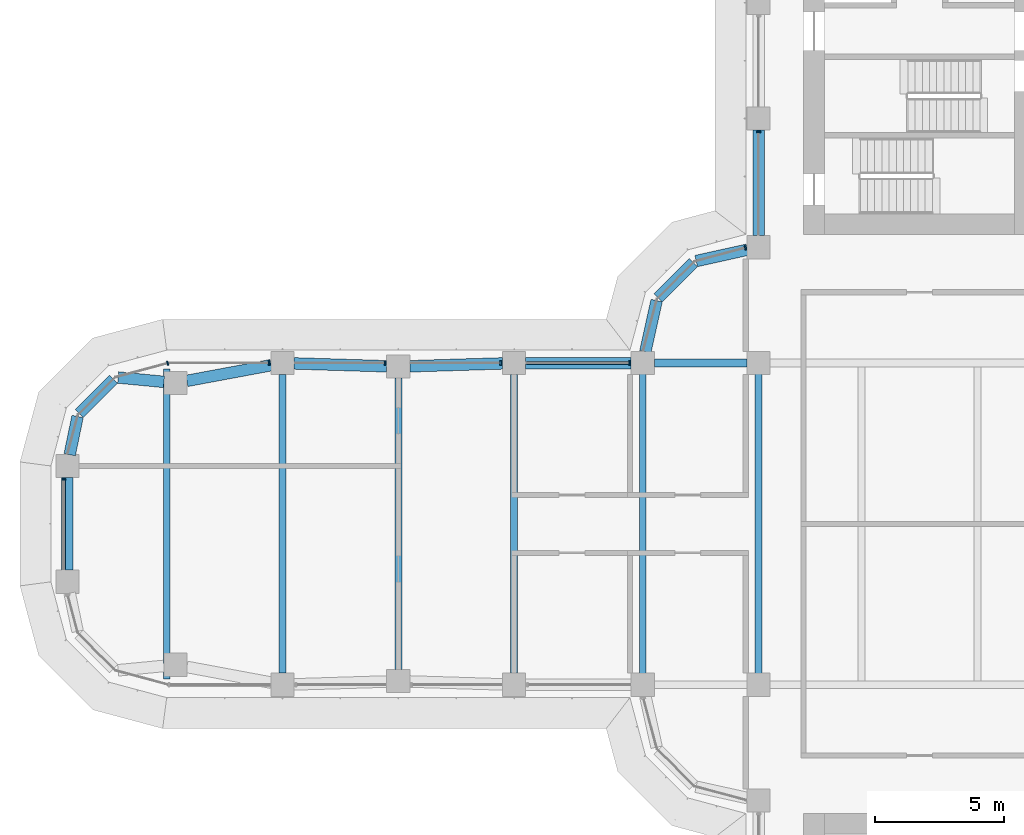
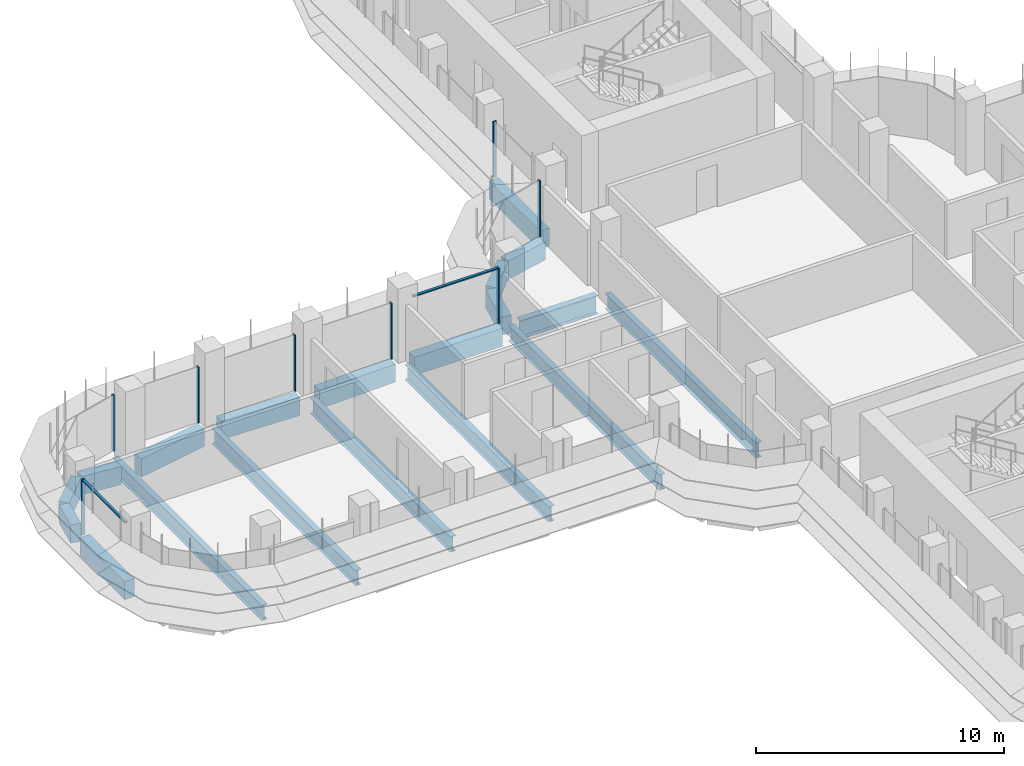
# One storey, part 6 of 21: 19 beams, 10 members, 5 elements without a shape of their own.
"""IFC4 building model written with IfcOpenShell, lengths in metres."""

import ifcopenshell
import ifcopenshell.guid

model = None  # the IFC model being written
_history = None  # IfcOwnerHistory: only IFC2X3 demands one
_inside = {}  # id of a spatial element -> (the spatial element, [elements in it])
_under = {}  # id of a project, library or spatial element -> (it, [spatial elements below it])
_declared = {}  # id of a project -> (the project, [libraries it declares])
_typed = {}  # id of a type object -> (the type object, [elements of that type])
_made_of = {}  # id of a material, layer set ... -> (it, [elements and type objects made of it])


def new_model(schema):
    """Start an empty IFC model of exactly this schema.

    Asked for "IFC4X3", IfcOpenShell would pick the latest addendum, in which some entities
    have other attributes; the version numbers below select the first issue.
    IFC2X3 requires an IfcOwnerHistory on every rooted entity: one is made here for all.
    """
    global model, _history
    if schema == "IFC4X3":
        model = ifcopenshell.file(schema_version=(4, 3, 0, 0))
    else:
        model = ifcopenshell.file(schema=schema)
    _inside.clear()
    _under.clear()
    _declared.clear()
    _typed.clear()
    _made_of.clear()
    _history = None
    if model.schema == "IFC2X3":
        org = make("IfcOrganization", Name="unknown")
        user = make(
            "IfcPersonAndOrganization",
            ThePerson=make("IfcPerson", FamilyName="unknown"),
            TheOrganization=org,
        )
        app = make(
            "IfcApplication",
            ApplicationDeveloper=org,
            Version="unknown",
            ApplicationFullName="unknown",
            ApplicationIdentifier="unknown",
        )
        _history = make(
            "IfcOwnerHistory",
            OwningUser=user,
            OwningApplication=app,
            ChangeAction="ADDED",
            CreationDate=0,
        )
    return model


def make(cls, **values):
    """One entity of the class cls with the attributes given. An attribute that is None is left unset."""
    return model.create_entity(
        cls, **{name: value for name, value in values.items() if value is not None}
    )


def rooted(cls, **values):
    """An entity with a GlobalId (a new one), such as an element, a storey or a relation."""
    return make(cls, GlobalId=ifcopenshell.guid.new(), OwnerHistory=_history, **values)


def si_unit(unit_type, name, prefix=None):
    """IfcSIUnit, for example si_unit("LENGTHUNIT", "METRE", prefix="MILLI")."""
    return make("IfcSIUnit", UnitType=unit_type, Prefix=prefix, Name=name)


def assignment(units):
    """IfcUnitAssignment: the units of a project."""
    return None if units is None else make("IfcUnitAssignment", Units=units)


def point(xyz):
    """IfcCartesianPoint."""
    return None if xyz is None else make("IfcCartesianPoint", Coordinates=xyz)


def direction(xyz):
    """IfcDirection."""
    return None if xyz is None else make("IfcDirection", DirectionRatios=xyz)


def frame(location, z_axis=None, x_axis=None):
    """IfcAxis2Placement3D, a coordinate frame: its origin and axes. An axis left out is left unset."""
    return make(
        "IfcAxis2Placement3D",
        Location=point(location),
        Axis=direction(z_axis),
        RefDirection=direction(x_axis),
    )


def frame_2d(location, x_axis=None):
    """IfcAxis2Placement2D, a coordinate frame in the plane: its origin and x axis."""
    return make(
        "IfcAxis2Placement2D", Location=point(location), RefDirection=direction(x_axis)
    )


def origin():
    """The frame at (0, 0, 0) with its axes left unset."""
    return frame((0.0, 0.0, 0.0))


def origin_2d():
    """The frame at (0, 0) in the plane with its x axis left unset."""
    return frame_2d((0.0, 0.0))


def place(relative_to, where):
    """IfcLocalPlacement: puts the frame where relative to a parent placement (None: the world)."""
    return make(
        "IfcLocalPlacement", PlacementRelTo=relative_to, RelativePlacement=where
    )


def context(
    kind, dimensions, precision=None, world=None, true_north=None, identifier=None
):
    """IfcGeometricRepresentationContext, for example the 3D "Model" context."""
    return make(
        "IfcGeometricRepresentationContext",
        ContextIdentifier=identifier,
        ContextType=kind,
        CoordinateSpaceDimension=dimensions,
        Precision=precision,
        WorldCoordinateSystem=world,
        TrueNorth=true_north,
    )


def subcontext(parent, identifier, kind, view, scale=None):
    """IfcGeometricRepresentationSubContext, for example "Body" below "Model"."""
    return make(
        "IfcGeometricRepresentationSubContext",
        ContextIdentifier=identifier,
        ContextType=kind,
        ParentContext=parent,
        TargetScale=scale,
        TargetView=view,
    )


def project(units=None, contexts=None):
    """IfcProject with its units and contexts."""
    return rooted(
        "IfcProject",
        Name="project",
        RepresentationContexts=contexts,
        UnitsInContext=assignment(units),
    )


def spatial(cls, under=None, at=None, **own):
    """A site, building, storey or space (cls), placed at a placement, below another one or the project."""
    s = rooted(cls, ObjectPlacement=at, **own)
    if under is not None:
        _under.setdefault(under.id(), (under, []))[1].append(s)
    return s


def polyline(points):
    """IfcPolyline through the points."""
    return make("IfcPolyline", Points=[point(p) for p in points])


def profile(cls, at=None, kind="AREA", **sizes):
    """A parametric profile (cls). Its sizes go by their IFC names, for example OverallWidth=200.0."""
    return make(cls, ProfileType=kind, Position=at, **sizes)


def rectangle(**sizes):
    """IfcRectangleProfileDef."""
    return profile("IfcRectangleProfileDef", **sizes)


def i_section(**sizes):
    """IfcIShapeProfileDef."""
    return profile("IfcIShapeProfileDef", **sizes)


def outline(outer, holes=None, kind="AREA"):
    """IfcArbitraryClosedProfileDef: a profile drawn as a closed curve; with holes, ...WithVoids."""
    if holes is None:
        return make("IfcArbitraryClosedProfileDef", ProfileType=kind, OuterCurve=outer)
    return make(
        "IfcArbitraryProfileDefWithVoids",
        ProfileType=kind,
        OuterCurve=outer,
        InnerCurves=holes,
    )


def extrude(swept, where, along, depth):
    """IfcExtrudedAreaSolid: the profile swept, set in the frame where, extruded along a direction by depth."""
    return make(
        "IfcExtrudedAreaSolid",
        SweptArea=swept,
        Position=where,
        ExtrudedDirection=direction(along),
        Depth=depth,
    )


def shape(context_of_items, identifier, shape_type, items):
    """IfcShapeRepresentation: the items that make up one representation, for example the "Body"."""
    return make(
        "IfcShapeRepresentation",
        ContextOfItems=context_of_items,
        RepresentationIdentifier=identifier,
        RepresentationType=shape_type,
        Items=items,
    )


def source(mapping_origin, context_of_items, identifier, shape_type, items):
    """IfcRepresentationMap: a shape defined once, which mapped items show again and again."""
    return make(
        "IfcRepresentationMap",
        MappingOrigin=mapping_origin,
        MappedRepresentation=shape(context_of_items, identifier, shape_type, items),
    )


def transform(
    local_origin,
    x_axis=None,
    y_axis=None,
    z_axis=None,
    scale=None,
    scale2=None,
    scale3=None,
    uniform=True,
):
    """IfcCartesianTransformationOperator3D, or its non-uniform kind. x_axis, y_axis, z_axis: its Axis1, 2, 3."""
    if uniform:
        return make(
            "IfcCartesianTransformationOperator3D",
            Axis1=direction(x_axis),
            Axis2=direction(y_axis),
            LocalOrigin=point(local_origin),
            Scale=scale,
            Axis3=direction(z_axis),
        )
    return make(
        "IfcCartesianTransformationOperator3DnonUniform",
        Axis1=direction(x_axis),
        Axis2=direction(y_axis),
        LocalOrigin=point(local_origin),
        Scale=scale,
        Axis3=direction(z_axis),
        Scale2=scale2,
        Scale3=scale3,
    )


def mapped(mapping_source, mapping_target):
    """IfcMappedItem: shows the shape of a source again, moved by a transform."""
    return make(
        "IfcMappedItem", MappingSource=mapping_source, MappingTarget=mapping_target
    )


def material(Name=None, Category=None):
    """IfcMaterial."""
    return make("IfcMaterial", Name=Name, Category=Category)


def material_profile(
    of_material, cross_section, Name=None, Category=None, Priority=None
):
    """IfcMaterialProfile: a cross section and its material."""
    return make(
        "IfcMaterialProfile",
        Name=Name,
        Material=of_material,
        Profile=cross_section,
        Priority=Priority,
        Category=Category,
    )


def profile_set(profiles, Name=None, composite=None):
    """IfcMaterialProfileSet."""
    return make(
        "IfcMaterialProfileSet",
        Name=Name,
        MaterialProfiles=profiles,
        CompositeProfile=composite,
    )


def made_of(thing, what):
    """Note that an element or type object is made of a material, layer set ...; save() writes the relation."""
    if what is not None:
        _made_of.setdefault(what.id(), (what, []))[1].append(thing)
    return thing


def type_object(cls, material=None, **own):
    """A type object (cls), such as IfcWallType, which elements share."""
    return made_of(rooted(cls, **own), material)


def element(
    cls,
    number,
    at=None,
    inside=None,
    cuts=None,
    type_object=None,
    material=None,
    context=None,
    identifier="Body",
    shape_type=None,
    held_by="IfcProductDefinitionShape",
    body=None,
    shapes=None,
    **own,
):
    """One element of the class cls, such as IfcWall. Its Tag is "e" and its number.

    at: its placement. inside: the storey or other place that contains it. cuts: it is an
    opening in that element (IfcRelVoidsElement). A single representation is given by context,
    identifier, shape_type and body (its items); several are given by shapes. held_by: the class
    of the entity that holds the representations. save() writes the other relations.
    """
    e = rooted(cls, Tag="e%d" % number, ObjectPlacement=at, **own)
    if body is not None:
        shapes = [shape(context, identifier, shape_type, body)]
    if shapes is not None:
        e.Representation = make(held_by, Representations=shapes)
    if inside is not None:
        _inside.setdefault(inside.id(), (inside, []))[1].append(e)
    if cuts is not None:
        rooted(
            "IfcRelVoidsElement", RelatingBuildingElement=cuts, RelatedOpeningElement=e
        )
    if type_object is not None:
        _typed.setdefault(type_object.id(), (type_object, []))[1].append(e)
    return made_of(e, material)


def aggregate(whole, parts):
    """IfcRelAggregates: a whole, such as a stair, and the parts it consists of."""
    return rooted("IfcRelAggregates", RelatingObject=whole, RelatedObjects=parts)


def save(model, path):
    """Write the relations noted so far, then the file.

    IfcRelAggregates (storeys below a building ...), IfcRelContainedInSpatialStructure (elements
    in a storey), IfcRelDefinesByType, IfcRelAssociatesMaterial and IfcRelDeclares: one each for
    every whole, place, type object, material and project.
    """
    for whole, parts in _under.values():
        aggregate(whole, parts)
    for where, things in _inside.values():
        rooted(
            "IfcRelContainedInSpatialStructure",
            RelatedElements=things,
            RelatingStructure=where,
        )
    for kind, things in _typed.values():
        rooted("IfcRelDefinesByType", RelatedObjects=things, RelatingType=kind)
    for what, things in _made_of.values():
        rooted("IfcRelAssociatesMaterial", RelatedObjects=things, RelatingMaterial=what)
    for by, libraries in _declared.values():
        rooted("IfcRelDeclares", RelatingContext=by, RelatedDefinitions=libraries)
    model.write(path)


model = new_model("IFC4")

# Units and contexts
model_context = context("Model", 3, precision=1e-05, world=origin(), true_north=direction((0.0, 1.0)))
body_context = subcontext(model_context, "Body", "Model", "MODEL_VIEW")
ifc_project = project(units=[si_unit("LENGTHUNIT", "METRE"), si_unit("AREAUNIT", "SQUARE_METRE"), si_unit("VOLUMEUNIT", "CUBIC_METRE"), si_unit("PLANEANGLEUNIT", "RADIAN"), si_unit("MASSUNIT", "GRAM", prefix="KILO")], contexts=[model_context])

# Site, building, storey
site_placement = place(None, origin())
site = spatial("IfcSite", under=ifc_project, at=site_placement, CompositionType="ELEMENT")
building_placement = place(site_placement, origin())
building = spatial("IfcBuilding", under=site, at=building_placement, Name="Zarbagh Exchange Tower", CompositionType="ELEMENT")
storey_placement = place(building_placement, frame((0.0, 0.0, 117.0)))
storey = spatial("IfcBuildingStorey", under=building, at=storey_placement, Name="L27", CompositionType="ELEMENT", Elevation=117.0)

# Beams
ifc_material_1 = material(Name="Steel ASTM A992 Gr 50", Category="steel")
ifc_material_profile_1 = material_profile(ifc_material_1, i_section(OverallWidth=0.2666015625, OverallDepth=0.7568359375, WebThickness=0.013916015625, FlangeThickness=0.019287109375, at=origin_2d()), Name="W30X108")
ifc_profile_set_1 = profile_set([ifc_material_profile_1], Name="Steel ASTM A992 Gr 50")
beam_type_1 = type_object("IfcBeamType", Name="Floor beam W30X108", PredefinedType="BEAM", material=ifc_profile_set_1)
for number, where, z_axis, x_axis, name in (
    (1, (-10.75, -6.09765625, -0.5283203125), (0.0, 1.0, 0.0), (-1.0, 0.0, 0.0), "Steel floor beam"),
    (2, (-6.25, -6.09765625, -0.5283203125), (0.0, 1.0, 0.0), (-1.0, 0.0, 0.0), "Steel floor beam"),
):
    element("IfcBeam", number, at=place(storey_placement, frame(where, z_axis=z_axis, x_axis=x_axis)), inside=storey, type_object=beam_type_1, Name=name, PredefinedType="BEAM", context=body_context, shape_type="SweptSolid", body=[
        extrude(i_section(OverallWidth=0.2666015625, OverallDepth=0.7568359375, WebThickness=0.013916015625, FlangeThickness=0.019287109375, at=origin_2d()), origin(), (0.0, 0.0, 1.0), 12.1953125),
    ])
beam_1_placement = place(storey_placement, frame((-15.75, -5.800048828125, -0.5283203125), z_axis=(0.0, 1.0, 0.0), x_axis=(-1.0, 0.0, 0.0)))
element("IfcBeam", 3, at=beam_1_placement, inside=storey, type_object=beam_type_1, Name="Steel floor beam", PredefinedType="BEAM", context=body_context, shape_type="SweptSolid", body=[
    extrude(i_section(OverallWidth=0.2666015625, OverallDepth=0.7568359375, WebThickness=0.013916015625, FlangeThickness=0.019287109375, at=origin_2d()), origin(), (0.0, 0.0, 1.0), 11.60009765625),
])
beam_2_placement = place(storey_placement, frame((-20.25, -5.659912109375, -0.5283203125), z_axis=(0.0, 1.0, 0.0), x_axis=(-1.0, 0.0, 0.0)))
element("IfcBeam", 4, at=beam_2_placement, inside=storey, type_object=beam_type_1, Name="Steel floor beam", PredefinedType="BEAM", context=body_context, shape_type="SweptSolid", body=[
    extrude(i_section(OverallWidth=0.2666015625, OverallDepth=0.7568359375, WebThickness=0.013916015625, FlangeThickness=0.019287109375, at=origin_2d()), origin(), (0.0, 0.0, 1.0), 11.31982421875),
])
beam_3_placement = place(storey_placement, frame((-24.75, -5.800048828125, -0.5283203125), z_axis=(0.0, 1.0, 0.0), x_axis=(-1.0, 0.0, 0.0)))
element("IfcBeam", 5, at=beam_3_placement, inside=storey, type_object=beam_type_1, Name="Steel floor beam", PredefinedType="BEAM", context=body_context, shape_type="SweptSolid", body=[
    extrude(i_section(OverallWidth=0.2666015625, OverallDepth=0.7568359375, WebThickness=0.013916015625, FlangeThickness=0.019287109375, at=origin_2d()), origin(), (0.0, 0.0, 1.0), 11.60009765625),
])
beam_4_placement = place(storey_placement, frame((-29.25, -6.02490234375, -0.5283203125), z_axis=(0.0, 1.0, 0.0), x_axis=(-1.0, 0.0, 0.0)))
element("IfcBeam", 6, at=beam_4_placement, inside=storey, type_object=beam_type_1, Name="Steel floor beam", PredefinedType="BEAM", context=body_context, shape_type="SweptSolid", body=[
    extrude(i_section(OverallWidth=0.2666015625, OverallDepth=0.7568359375, WebThickness=0.013916015625, FlangeThickness=0.019287109375, at=origin_2d()), origin(), (0.0, 0.0, 1.0), 12.0498046875),
])
ifc_material_profile_2 = material_profile(ifc_material_1, i_section(OverallWidth=0.3046875, OverallDepth=0.911865234375, WebThickness=0.015869140625, FlangeThickness=0.02392578125, at=origin_2d()), Name="W36X150")
ifc_profile_set_2 = profile_set([ifc_material_profile_2], Name="Steel ASTM A992 Gr 50")
beam_type_2 = type_object("IfcBeamType", Name="Floor girder W36X150", PredefinedType="BEAM", material=ifc_profile_set_2)
beam_5_placement = place(storey_placement, frame((-10.300048828125, 6.25, -0.60595703125), z_axis=(1.0, 0.0, 0.0), x_axis=(0.0, 1.0, 0.0)))
element("IfcBeam", 7, at=beam_5_placement, inside=storey, type_object=beam_type_2, Name="Steel girder", PredefinedType="BEAM", context=body_context, shape_type="SweptSolid", body=[
    extrude(i_section(OverallWidth=0.3046875, OverallDepth=0.911865234375, WebThickness=0.015869140625, FlangeThickness=0.02392578125, at=origin_2d()), origin(), (0.0, 0.0, 1.0), 3.60009765625),
])
ifc_material_2 = material(Name="Concrete C60/75", Category="concrete")
ifc_material_profile_3 = material_profile(ifc_material_2, rectangle(XDim=0.449951171875, YDim=0.89990234375, at=origin_2d()), Name="RC spandrel beam 450 x 900 C60/75")
ifc_profile_set_3 = profile_set([ifc_material_profile_3], Name="Concrete C60/75")
beam_type_3 = type_object("IfcBeamType", Name="RC spandrel beam 450 x 900 C60/75", PredefinedType="SPANDREL", material=ifc_profile_set_3)
beam_6_placement = place(storey_placement, frame((-33.110107421875, -1.800048828125, -0.60009765625), z_axis=(0.0, 1.0, 0.0), x_axis=(-1.0, 0.0, 0.0)))
element("IfcBeam", 8, at=beam_6_placement, inside=storey, type_object=beam_type_3, Name="RC spandrel beam", PredefinedType="SPANDREL", context=body_context, shape_type="SweptSolid", body=[
    extrude(rectangle(XDim=0.449951171875, YDim=0.89990234375, at=origin_2d()), origin(), (0.0, 0.0, 1.0), 3.60009765625),
])
beam_7_placement = place(storey_placement, frame((-33.01904296875, 2.690673828125, -0.60009765625), z_axis=(0.202275417995, 0.979328675816, 0.0), x_axis=(-0.979328675816, 0.202275417995, 0.0)))
element("IfcBeam", 9, at=beam_7_placement, inside=storey, type_object=beam_type_3, Name="RC spandrel beam", PredefinedType="SPANDREL", context=body_context, shape_type="SweptSolid", body=[
    extrude(rectangle(XDim=0.449951171875, YDim=0.89990234375, at=origin_2d()), origin(), (0.0, 0.0, 1.0), 1.515869140625),
])
beam_8_placement = place(storey_placement, frame((-32.651123046875, 4.288818359375, -0.60009765625), z_axis=(0.707106781187, 0.707106781187, 0.0), x_axis=(-0.707106781187, 0.707106781187, 0.0)))
element("IfcBeam", 10, at=beam_8_placement, inside=storey, type_object=beam_type_3, Name="RC spandrel beam", PredefinedType="SPANDREL", context=body_context, shape_type="SweptSolid", body=[
    extrude(rectangle(XDim=0.449951171875, YDim=0.89990234375, at=origin_2d()), origin(), (0.0, 0.0, 1.0), 1.887939453125),
])
beam_9_placement = place(storey_placement, frame((-31.135498046875, 5.688720703125, -0.60009765625), z_axis=(0.995433267802, -0.095459988228, 0.0), x_axis=(0.095459988228, 0.995433267802, 0.0)))
element("IfcBeam", 11, at=beam_9_placement, inside=storey, type_object=beam_type_3, Name="RC spandrel beam", PredefinedType="SPANDREL", context=body_context, shape_type="SweptSolid", body=[
    extrude(rectangle(XDim=0.449951171875, YDim=0.89990234375, at=origin_2d()), origin(), (0.0, 0.0, 1.0), 1.78759765625),
])
beam_10_placement = place(storey_placement, frame((-28.465576171875, 5.5576171875, -0.60009765625), z_axis=(0.98308156541, 0.183168326277, 0.0), x_axis=(-0.183168326277, 0.98308156541, 0.0)))
element("IfcBeam", 12, at=beam_10_placement, inside=storey, type_object=beam_type_3, Name="RC spandrel beam", PredefinedType="SPANDREL", context=body_context, shape_type="SweptSolid", body=[
    extrude(rectangle(XDim=0.449951171875, YDim=0.89990234375, at=origin_2d()), origin(), (0.0, 0.0, 1.0), 3.32958984375),
])
for number, where, z_axis, x_axis, name in (
    (13, (-24.30029296875, 6.236083984375, -0.60009765625), (0.999516035224, -0.031107801747, 0.0), (0.031107801747, 0.999516035224, 0.0), "RC spandrel beam"),
    (14, (-19.80029296875, 6.1240234375, -0.60009765625), (0.999516035224, 0.031107801747, 0.0), (-0.031107801747, 0.999516035224, 0.0), "RC spandrel beam"),
):
    element("IfcBeam", number, at=place(storey_placement, frame(where, z_axis=z_axis, x_axis=x_axis)), inside=storey, type_object=beam_type_3, Name=name, PredefinedType="SPANDREL", context=body_context, shape_type="SweptSolid", body=[
        extrude(rectangle(XDim=0.449951171875, YDim=0.89990234375, at=origin_2d()), origin(), (0.0, 0.0, 1.0), 3.602294921875),
    ])
beam_11_placement = place(storey_placement, frame((-15.300048828125, 6.25, -0.60009765625), z_axis=(1.0, 0.0, 0.0), x_axis=(0.0, 1.0, 0.0)))
element("IfcBeam", 15, at=beam_11_placement, inside=storey, type_object=beam_type_3, Name="RC spandrel beam", PredefinedType="SPANDREL", context=body_context, shape_type="SweptSolid", body=[
    extrude(rectangle(XDim=0.449951171875, YDim=0.89990234375, at=origin_2d()), origin(), (0.0, 0.0, 1.0), 4.10009765625),
])
beam_12_placement = place(storey_placement, frame((-10.65283203125, 6.689453125, -0.60009765625), z_axis=(0.216117666208, 0.976367325525, 0.0), x_axis=(-0.976367325525, 0.216117666208, 0.0)))
element("IfcBeam", 16, at=beam_12_placement, inside=storey, type_object=beam_type_3, Name="RC spandrel beam", PredefinedType="SPANDREL", context=body_context, shape_type="SweptSolid", body=[
    extrude(rectangle(XDim=0.449951171875, YDim=0.89990234375, at=origin_2d()), origin(), (0.0, 0.0, 1.0), 2.03564453125),
])
beam_13_placement = place(storey_placement, frame((-10.15234375, 8.78759765625, -0.60009765625), z_axis=(0.707106781187, 0.707106781187, 0.0), x_axis=(-0.707106781187, 0.707106781187, 0.0)))
element("IfcBeam", 17, at=beam_13_placement, inside=storey, type_object=beam_type_3, Name="RC spandrel beam", PredefinedType="SPANDREL", context=body_context, shape_type="SweptSolid", body=[
    extrude(rectangle(XDim=0.449951171875, YDim=0.89990234375, at=origin_2d()), origin(), (0.0, 0.0, 1.0), 1.929931640625),
])
beam_14_placement = place(storey_placement, frame((-8.677001953125, 10.212890625, -0.60009765625), z_axis=(0.976367325525, 0.216117666208, 0.0), x_axis=(-0.216117666208, 0.976367325525, 0.0)))
element("IfcBeam", 18, at=beam_14_placement, inside=storey, type_object=beam_type_3, Name="RC spandrel beam", PredefinedType="SPANDREL", context=body_context, shape_type="SweptSolid", body=[
    extrude(rectangle(XDim=0.449951171875, YDim=0.89990234375, at=origin_2d()), origin(), (0.0, 0.0, 1.0), 2.03564453125),
])
beam_15_placement = place(storey_placement, frame((-6.25, 11.199951171875, -0.60009765625), z_axis=(0.0, 1.0, 0.0), x_axis=(-1.0, 0.0, 0.0)))
element("IfcBeam", 19, at=beam_15_placement, inside=storey, type_object=beam_type_3, Name="RC spandrel beam", PredefinedType="SPANDREL", context=body_context, shape_type="SweptSolid", body=[
    extrude(rectangle(XDim=0.449951171875, YDim=0.89990234375, at=origin_2d()), origin(), (0.0, 0.0, 1.0), 4.10009765625),
])

# Curtain wall, member
ifc_material_3 = material(Name="Anodised aluminium frame and glazing", Category="aluminium")
curtain_wall_type = type_object("IfcCurtainWallType", Name="CWA Ribbon glazing, lower zones", PredefinedType="NOTDEFINED", material=ifc_material_3)
curtain_wall_1_placement = place(storey_placement, origin())
curtain_wall_1 = element("IfcCurtainWall", 20, at=curtain_wall_1_placement, inside=storey, type_object=curtain_wall_type, Name="CWA56 curtain wall", PredefinedType="NOTDEFINED")
ifc_material_4 = material(Name="Anodised aluminium frame", Category="aluminium")
member_type_1 = type_object("IfcMemberType", Name="MUA Mullion, anodised aluminium frame", PredefinedType="MULLION", material=ifc_material_4)
shared_shape_1 = source(origin(), body_context, "Body", "SweptSolid", [
    extrude(outline(polyline([(0.0, -0.080078125), (0.06005859375, -0.080078125), (0.06005859375, 0.080078125), (0.0, 0.080078125), (0.0, -0.080078125)])), origin(), (0.0, 0.0, 1.0), 2.75),
])
placement = place(storey_placement, origin())
member_1 = element("IfcMember", 21, at=placement, type_object=member_type_1, Name="CWA56 mullion 4.1", PredefinedType="MULLION", context=body_context, shape_type="MappedRepresentation", body=[
    mapped(shared_shape_1, transform((-6.25, 15.260009765625, 0.0), x_axis=(0.0, -1.0, 0.0), y_axis=(1.0, 0.0, 0.0), z_axis=(0.0, 0.0, 1.0))),
])
aggregate(curtain_wall_1, [member_1])

curtain_wall_2_placement = place(storey_placement, origin())
curtain_wall_2 = element("IfcCurtainWall", 22, at=curtain_wall_2_placement, inside=storey, type_object=curtain_wall_type, Name="CWA29 curtain wall", PredefinedType="NOTDEFINED")
member_2 = element("IfcMember", 23, at=placement, type_object=member_type_1, Name="CWA29 mullion 1.1", PredefinedType="MULLION", context=body_context, shape_type="MappedRepresentation", body=[
    mapped(shared_shape_1, transform((-6.739990234375, 10.735107421875, 0.0), x_axis=(-0.965924289636, -0.258824779902, 0.0), y_axis=(0.258824779902, -0.965924289636, 0.0), z_axis=(0.0, 0.0, 1.0))),
])
aggregate(curtain_wall_2, [member_2])

# Curtain wall, members
curtain_wall_3_placement = place(storey_placement, origin())
curtain_wall_3 = element("IfcCurtainWall", 24, at=curtain_wall_3_placement, inside=storey, type_object=curtain_wall_type, Name="CWA32 curtain wall", PredefinedType="NOTDEFINED")
member_3 = element("IfcMember", 25, at=placement, type_object=member_type_1, Name="CWA32 mullion 1.1", PredefinedType="MULLION", context=body_context, shape_type="MappedRepresentation", body=[
    mapped(shared_shape_1, transform((-11.239990234375, 6.25, 0.0), x_axis=(-1.0, 0.0, 0.0), y_axis=(0.0, -1.0, 0.0), z_axis=(0.0, 0.0, 1.0))),
])
member_4 = element("IfcMember", 26, at=placement, type_object=member_type_1, Name="CWA32 mullion 2.1", PredefinedType="MULLION", context=body_context, shape_type="MappedRepresentation", body=[
    mapped(shared_shape_1, transform((-16.239990234375, 6.25, 0.0), x_axis=(-1.0, 0.0, 0.0), y_axis=(0.0, -1.0, 0.0), z_axis=(0.0, 0.0, 1.0))),
])
member_5 = element("IfcMember", 27, at=placement, type_object=member_type_1, Name="CWA32 mullion 3.1", PredefinedType="MULLION", context=body_context, shape_type="MappedRepresentation", body=[
    mapped(shared_shape_1, transform((-20.739990234375, 6.25, 0.0), x_axis=(-1.0, 0.0, 0.0), y_axis=(0.0, -1.0, 0.0), z_axis=(0.0, 0.0, 1.0))),
])
member_6 = element("IfcMember", 28, at=placement, type_object=member_type_1, Name="CWA32 mullion 4.1", PredefinedType="MULLION", context=body_context, shape_type="MappedRepresentation", body=[
    mapped(shared_shape_1, transform((-25.239990234375, 6.25, 0.0), x_axis=(-1.0, 0.0, 0.0), y_axis=(0.0, -1.0, 0.0), z_axis=(0.0, 0.0, 1.0))),
])

# Curtain wall, member
curtain_wall_4_placement = place(storey_placement, origin())
curtain_wall_4 = element("IfcCurtainWall", 29, at=curtain_wall_4_placement, inside=storey, type_object=curtain_wall_type, Name="CWA33 curtain wall", PredefinedType="NOTDEFINED")
member_7 = element("IfcMember", 30, at=placement, type_object=member_type_1, Name="CWA33 mullion 1.1", PredefinedType="MULLION", context=body_context, shape_type="MappedRepresentation", body=[
    mapped(shared_shape_1, transform((-29.18408203125, 6.25, 0.0), x_axis=(-0.965924289636, -0.258824779902, 0.0), y_axis=(0.258824779902, -0.965924289636, 0.0), z_axis=(0.0, 0.0, 1.0))),
])
aggregate(curtain_wall_4, [member_7])

curtain_wall_5_placement = place(storey_placement, origin())
curtain_wall_5 = element("IfcCurtainWall", 31, at=curtain_wall_5_placement, inside=storey, type_object=curtain_wall_type, Name="CWA36 curtain wall", PredefinedType="NOTDEFINED")
member_8 = element("IfcMember", 32, at=placement, type_object=member_type_1, Name="CWA36 mullion 1.1", PredefinedType="MULLION", context=body_context, shape_type="MappedRepresentation", body=[
    mapped(shared_shape_1, transform((-33.25, 1.760009765625, 0.0), x_axis=(0.0, -1.0, 0.0), y_axis=(1.0, 0.0, 0.0), z_axis=(0.0, 0.0, 1.0))),
])

# Member
member_type_2 = type_object("IfcMemberType", Name="TRA Transom, anodised aluminium frame", PredefinedType="USERDEFINED", material=ifc_material_4)
shared_shape_2 = source(origin(), body_context, "Body", "SweptSolid", [
    extrude(outline(polyline([(-0.06005859375, -0.06005859375), (0.0, -0.06005859375), (0.0, 0.06005859375), (-0.06005859375, 0.06005859375), (-0.06005859375, -0.06005859375)])), origin(), (0.0, 0.0, 1.0), 3.9599609375),
])
member_9 = element("IfcMember", 33, at=placement, type_object=member_type_2, Name="CWA32 transom 1.1", ObjectType="TRANSOM", PredefinedType="USERDEFINED", context=body_context, shape_type="MappedRepresentation", body=[
    mapped(shared_shape_2, transform((-11.300048828125, 6.25, 2.75), x_axis=(0.0, 0.0, 1.0), y_axis=(0.0, 1.0, 0.0), z_axis=(-1.0, 0.0, 0.0))),
])

aggregate(curtain_wall_3, [member_3, member_9, member_4, member_5, member_6])

shared_shape_3 = source(origin(), body_context, "Body", "SweptSolid", [
    extrude(outline(polyline([(-0.06005859375, -0.06005859375), (0.0, -0.06005859375), (0.0, 0.06005859375), (-0.06005859375, 0.06005859375), (-0.06005859375, -0.06005859375)])), origin(), (0.0, 0.0, 1.0), 3.4599609375),
])
member_10 = element("IfcMember", 34, at=placement, type_object=member_type_2, Name="CWA36 transom 1.1", ObjectType="TRANSOM", PredefinedType="USERDEFINED", context=body_context, shape_type="MappedRepresentation", body=[
    mapped(shared_shape_3, transform((-33.25, 1.699951171875, 2.75), x_axis=(0.0, 0.0, 1.0), y_axis=(-1.0, 0.0, 0.0), z_axis=(0.0, -1.0, 0.0))),
])

aggregate(curtain_wall_5, [member_8, member_10])

save(model, "model.ifc")
